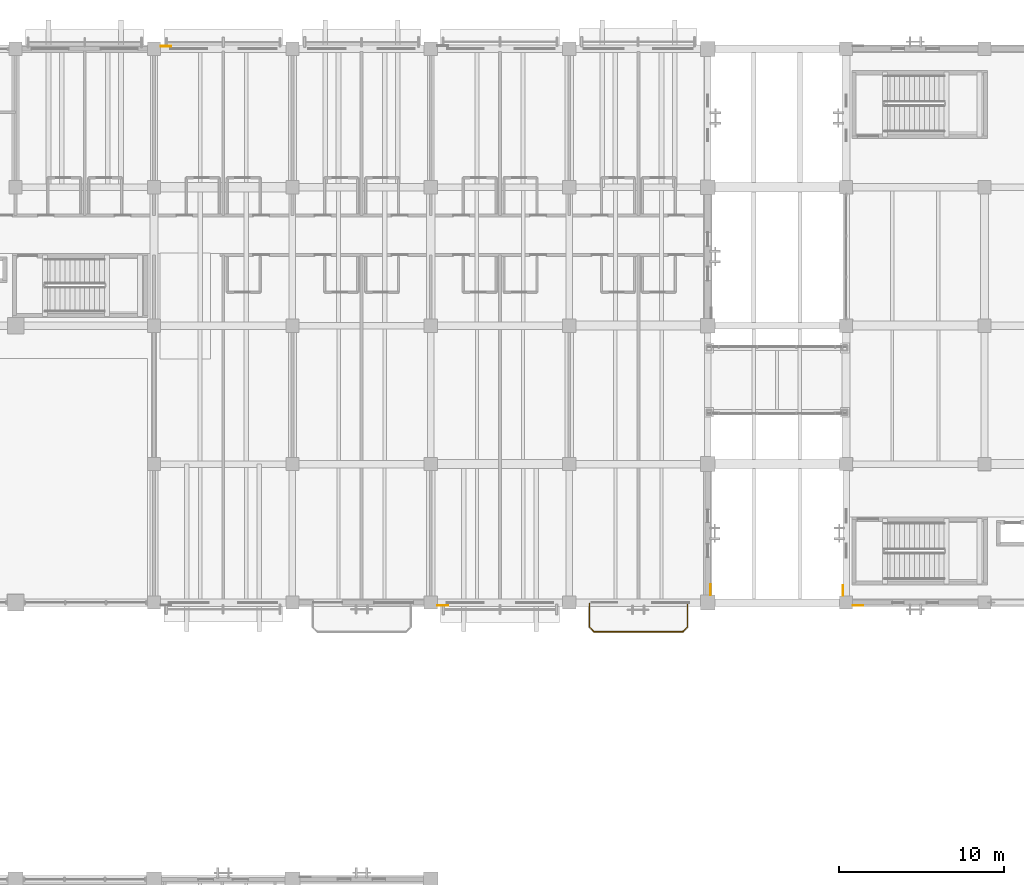
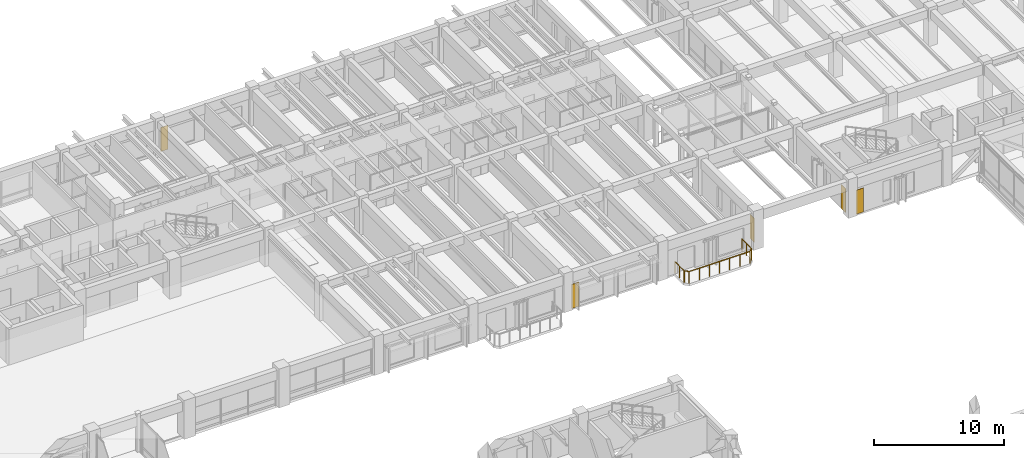
# One storey, part 105 of 118: 5 coverings, 1 railing.
"""IFC4 building model written with IfcOpenShell, lengths in metres."""

from ifc_helpers import new_model, si_unit, direction, frame, origin, origin_2d, place, context, subcontext, project, spatial, polyline, circle, outline, extrude, material, layer, layer_set, type_object, element, save


model = new_model("IFC4")

# Units and contexts
model_context = context("Model", 3, precision=1e-05, world=origin(), true_north=direction((0.0, 1.0)))
body_context = subcontext(model_context, "Body", "Model", "MODEL_VIEW")
ifc_project = project(units=[si_unit("LENGTHUNIT", "METRE"), si_unit("AREAUNIT", "SQUARE_METRE"), si_unit("VOLUMEUNIT", "CUBIC_METRE"), si_unit("PLANEANGLEUNIT", "RADIAN"), si_unit("MASSUNIT", "GRAM", prefix="KILO")], contexts=[model_context])

# Site, building, storey
site_placement = place(None, origin())
site = spatial("IfcSite", under=ifc_project, at=site_placement, CompositionType="ELEMENT")
building_placement = place(site_placement, origin())
building = spatial("IfcBuilding", under=site, at=building_placement, Name="Cumbredor Promenade Congress Hotel", CompositionType="ELEMENT")
storey_placement = place(building_placement, frame((0.0, 0.0, 3.919921875)))
storey = spatial("IfcBuildingStorey", under=building, at=storey_placement, Name="L01", CompositionType="ELEMENT", Elevation=3.919921875)

# Coverings
ifc_material_1 = material(Name="Precast concrete C40/50", Category="concrete")
ifc_layer_1 = layer(ifc_material_1, 0.044921875, Name="Precast concrete C40/50", Category="concrete")
ifc_layer_set_1 = layer_set([ifc_layer_1], Name="Precast concrete C40/50")
covering_type_1 = type_object("IfcCoveringType", Name="Board-Formed Architectural Cladding Panel 45mm", PredefinedType="CLADDING", material=ifc_layer_set_1)
covering_1_placement = place(storey_placement, origin())
element("IfcCovering", 1, at=covering_1_placement, inside=storey, type_object=covering_type_1, Name="L01 Facade Stone Cladding Pier 078", PredefinedType="CLADDING", context=body_context, shape_type="SweptSolid", body=[
    extrude(outline(polyline([(92.237548828125, 84.40087890625), (92.237548828125, 85.051025390625), (92.1923828125, 85.051025390625), (92.1923828125, 84.40087890625), (92.237548828125, 84.40087890625)])), origin(), (0.0, 0.0, 1.0), 2.25),
])
covering_2_placement = place(storey_placement, origin())
element("IfcCovering", 2, at=covering_2_placement, inside=storey, type_object=covering_type_1, Name="L01 Facade Stone Cladding Pier 084", PredefinedType="CLADDING", context=body_context, shape_type="SweptSolid", body=[
    extrude(outline(polyline([(67.60107421875, 83.83740234375), (68.2509765625, 83.83740234375), (68.2509765625, 83.79248046875), (67.60107421875, 83.79248046875), (67.60107421875, 83.83740234375)])), origin(), (0.0, 0.0, 1.0), 2.25),
])

# Railing
ifc_material_2 = material(Name="Brushed stainless steel", Category="steel")
railing_type = type_object("IfcRailingType", Name="Terrace Perimeter Balustrade BAL-1120", PredefinedType="BALUSTRADE", material=ifc_material_2)
railing_placement = place(storey_placement, frame((76.830078125, 83.949951171875, 0.0)))
element("IfcRailing", 3, at=railing_placement, inside=storey, type_object=railing_type, Name="L01 Veranda Balcony Balustrade 003", PredefinedType="BALUSTRADE", context=body_context, shape_type="SweptSolid", body=[
    extrude(circle(Radius=0.02392578125, at=origin_2d()), frame((0.0, 0.0, 1.09619140625), z_axis=(0.0, -1.0, 0.0), x_axis=(1.0, 0.0, 0.0)), (0.0, 0.0, 1.0), 1.43994140625),
    extrude(circle(Radius=0.02392578125, at=origin_2d()), frame((0.0, -1.43994140625, 1.09619140625), z_axis=(0.707106781187, -0.707106781187, 0.0), x_axis=(0.707106781187, 0.707106781187, 0.0)), (0.0, 0.0, 1.0), 0.39599609375),
    extrude(circle(Radius=0.02392578125, at=origin_2d()), frame((0.280029296875, -1.719970703125, 1.09619140625), z_axis=(1.0, 0.0, 0.0), x_axis=(0.0, 1.0, 0.0)), (0.0, 0.0, 1.0), 5.3798828125),
    extrude(circle(Radius=0.02392578125, at=origin_2d()), frame((5.659912109375, -1.719970703125, 1.09619140625), z_axis=(0.707106781187, 0.707106781187, 0.0), x_axis=(-0.707106781187, 0.707106781187, 0.0)), (0.0, 0.0, 1.0), 0.39599609375),
    extrude(circle(Radius=0.02392578125, at=origin_2d()), frame((5.93994140625, -1.43994140625, 1.09619140625), z_axis=(0.0, 1.0, 0.0), x_axis=(-1.0, 0.0, 0.0)), (0.0, 0.0, 1.0), 1.43994140625),
    extrude(circle(Radius=0.02099609375, at=origin_2d()), origin(), (0.0, 0.0, 1.0), 1.072021484375),
    extrude(circle(Radius=0.02099609375, at=origin_2d()), frame((0.0, -0.719970703125, 0.0)), (0.0, 0.0, 1.0), 1.072021484375),
    extrude(circle(Radius=0.02099609375, at=origin_2d()), frame((0.0, -1.43994140625, 0.0)), (0.0, 0.0, 1.0), 1.072021484375),
    extrude(circle(Radius=0.02099609375, at=origin_2d()), frame((0.280029296875, -1.719970703125, 0.0)), (0.0, 0.0, 1.0), 1.072021484375),
    extrude(circle(Radius=0.02099609375, at=origin_2d()), frame((1.1767578125, -1.719970703125, 0.0)), (0.0, 0.0, 1.0), 1.072021484375),
    extrude(circle(Radius=0.02099609375, at=origin_2d()), frame((2.0732421875, -1.719970703125, 0.0)), (0.0, 0.0, 1.0), 1.072021484375),
    extrude(circle(Radius=0.02099609375, at=origin_2d()), frame((2.969970703125, -1.719970703125, 0.0)), (0.0, 0.0, 1.0), 1.072021484375),
    extrude(circle(Radius=0.02099609375, at=origin_2d()), frame((3.86669921875, -1.719970703125, 0.0)), (0.0, 0.0, 1.0), 1.072021484375),
    extrude(circle(Radius=0.02099609375, at=origin_2d()), frame((4.76318359375, -1.719970703125, 0.0)), (0.0, 0.0, 1.0), 1.072021484375),
    extrude(circle(Radius=0.02099609375, at=origin_2d()), frame((5.659912109375, -1.719970703125, 0.0)), (0.0, 0.0, 1.0), 1.072021484375),
    extrude(circle(Radius=0.02099609375, at=origin_2d()), frame((5.93994140625, -1.43994140625, 0.0)), (0.0, 0.0, 1.0), 1.072021484375),
    extrude(circle(Radius=0.02099609375, at=origin_2d()), frame((5.93994140625, -0.719970703125, 0.0)), (0.0, 0.0, 1.0), 1.072021484375),
    extrude(circle(Radius=0.02099609375, at=origin_2d()), frame((5.93994140625, 0.0, 0.0)), (0.0, 0.0, 1.0), 1.072021484375),
])

# Coverings
ifc_material_3 = material(Name="Volcanic andesite ashlar cladding", Category="masonry")
ifc_layer_2 = layer(ifc_material_3, 0.034912109375, Name="Volcanic andesite ashlar cladding", Category="masonry")
ifc_layer_set_2 = layer_set([ifc_layer_2], Name="Volcanic andesite ashlar cladding")
covering_type_2 = type_object("IfcCoveringType", Name="Volcanic Andesite Ashlar Rainscreen Cladding 35mm", PredefinedType="CLADDING", material=ifc_layer_set_2)
covering_3_placement = place(storey_placement, origin())
element("IfcCovering", 4, at=covering_3_placement, inside=storey, type_object=covering_type_2, Name="L01 Facade Stone Cladding Pier 071", PredefinedType="CLADDING", context=body_context, shape_type="SweptSolid", body=[
    extrude(outline(polyline([(92.801025390625, 83.83740234375), (93.450927734375, 83.83740234375), (93.450927734375, 83.802490234375), (92.801025390625, 83.802490234375), (92.801025390625, 83.83740234375)])), origin(), (0.0, 0.0, 1.0), 2.25),
])
covering_4_placement = place(storey_placement, origin())
element("IfcCovering", 5, at=covering_4_placement, inside=storey, type_object=covering_type_2, Name="L01 Facade Stone Cladding Pier 087", PredefinedType="CLADDING", context=body_context, shape_type="SweptSolid", body=[
    extrude(outline(polyline([(50.801025390625, 117.739990234375), (51.450927734375, 117.739990234375), (51.450927734375, 117.77490234375), (50.801025390625, 117.77490234375), (50.801025390625, 117.739990234375)])), origin(), (0.0, 0.0, 1.0), 2.25),
])
covering_5_placement = place(storey_placement, origin())
element("IfcCovering", 6, at=covering_5_placement, inside=storey, type_object=covering_type_2, Name="L01 Facade Stone Cladding Pier 091", PredefinedType="CLADDING", context=body_context, shape_type="SweptSolid", body=[
    extrude(outline(polyline([(84.16259765625, 84.450927734375), (84.16259765625, 85.10107421875), (84.197509765625, 85.10107421875), (84.197509765625, 84.450927734375), (84.16259765625, 84.450927734375)])), origin(), (0.0, 0.0, 1.0), 2.25),
])

save(model, "model.ifc")
